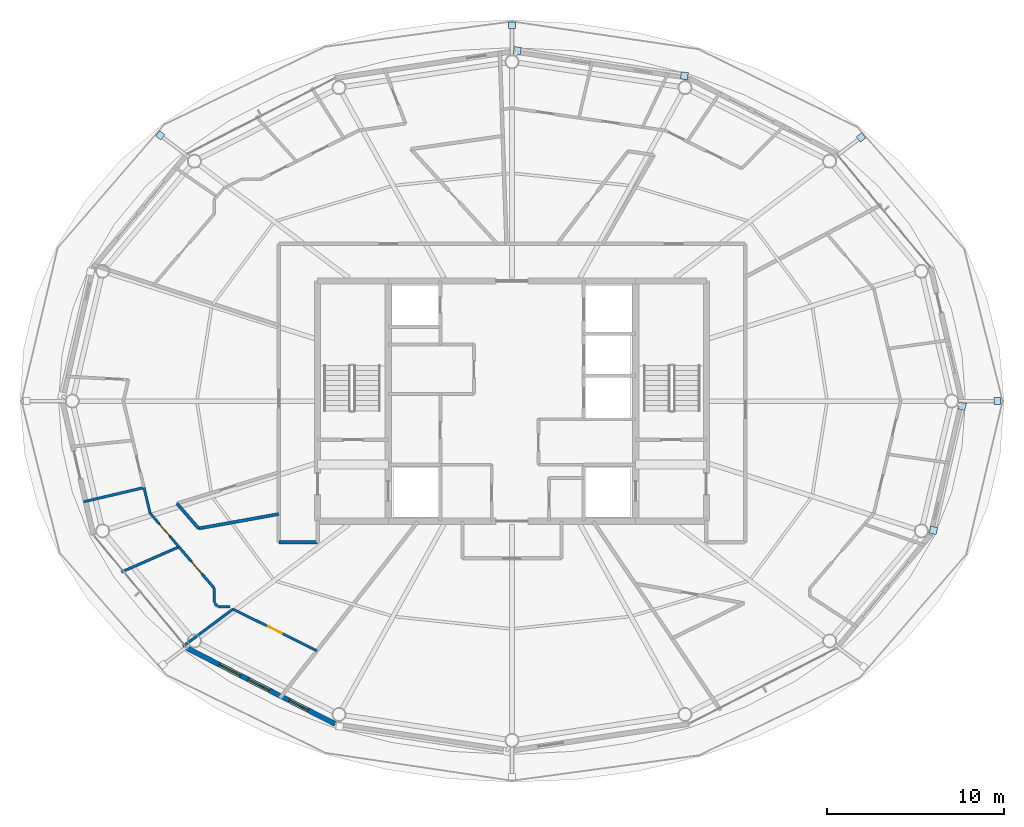
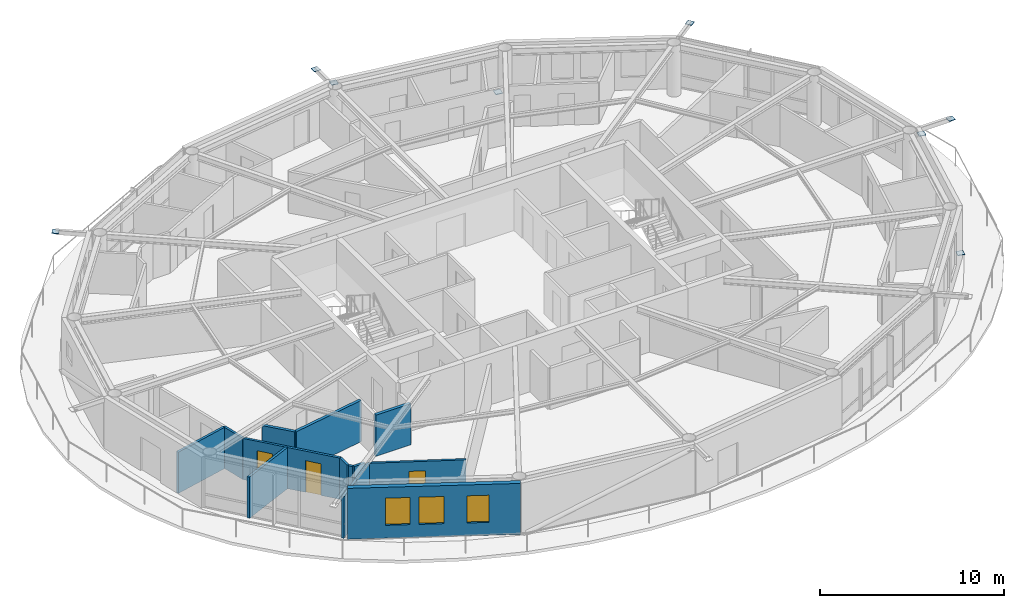
# One storey, part 15 of 22: 14 walls, 8 plates, 3 doors, 3 windows, 6 openings.
"""IFC4 building model written with IfcOpenShell, lengths in metres."""

from ifc_helpers import new_model, si_unit, direction, frame, frame_2d, origin, origin_2d, place, context, subcontext, project, spatial, rectangle, extrude, material, layer, layer_set, type_object, element, fill, save


model = new_model("IFC4")

# Units and contexts
model_context = context("Model", 3, precision=1e-05, world=origin(), true_north=direction((0.0, 1.0)))
body_context = subcontext(model_context, "Body", "Model", "MODEL_VIEW")
ifc_project = project(units=[si_unit("LENGTHUNIT", "METRE"), si_unit("AREAUNIT", "SQUARE_METRE"), si_unit("VOLUMEUNIT", "CUBIC_METRE"), si_unit("PLANEANGLEUNIT", "RADIAN"), si_unit("MASSUNIT", "GRAM", prefix="KILO")], contexts=[model_context])

# Site, building, storey
site_placement = place(None, origin())
site = spatial("IfcSite", under=ifc_project, at=site_placement, CompositionType="ELEMENT")
building_placement = place(site_placement, origin())
building = spatial("IfcBuilding", under=site, at=building_placement, Name="Sarneth Arch Tower", CompositionType="ELEMENT")
storey_placement = place(building_placement, frame((0.0, 0.0, 287.39990234375)))
storey = spatial("IfcBuildingStorey", under=building, at=storey_placement, Name="L74", CompositionType="ELEMENT", Elevation=287.39990234375)

# Plates
ifc_material_1 = material(Name="Steel S355", Category="steel")
ifc_layer_1 = layer(ifc_material_1, 0.035888671875)
ifc_layer_set_1 = layer_set([ifc_layer_1], Name="Steel S355")
plate_type = type_object("IfcPlateType", Name="PLT-GUSSET-30", PredefinedType="SHEET", material=ifc_layer_set_1)
for number, where, z_axis, x_axis, name in (
    (1, (75.466552734375, 42.0, 3.1923828125), (0.0, 0.0, 1.0), (1.0, 0.0, 0.0), "Steel end cap plate GP-1"),
    (2, (67.75537109375, 56.921142578125, 3.1923828125), (0.0, 0.0, 1.0), (0.798004853043, 0.602651022168, 0.0), "Steel end cap plate GP-1"),
):
    element("IfcPlate", number, at=place(storey_placement, frame(where, z_axis=z_axis, x_axis=x_axis)), inside=storey, type_object=plate_type, Name=name, PredefinedType="SHEET", context=body_context, shape_type="SweptSolid", body=[
        extrude(rectangle(XDim=0.3798828125, YDim=0.3798828125, at=origin_2d()), origin(), (0.0, 0.0, 1.0), 0.035888671875),
    ])
for number, where, z_axis, x_axis, name in (
    (3, (57.754150390625, 60.411376953125, 0.001953125), (0.0, 0.0, 1.0), (-0.988860535448, 0.148845024885, 0.0), "Steel end cap plate GP-1"),
    (4, (48.296630859375, 61.83544921875, 3.07421875), (0.0, 0.0, 1.0), (-0.988860535448, 0.148845024885, 0.0), "Steel end cap plate GP-1"),
):
    element("IfcPlate", number, at=place(storey_placement, frame(where, z_axis=z_axis, x_axis=x_axis)), inside=storey, type_object=plate_type, Name=name, PredefinedType="SHEET", context=body_context, shape_type="SweptSolid", body=[
        extrude(rectangle(XDim=0.404052734375, YDim=0.404052734375, at=origin_2d()), origin(), (0.0, 0.0, 1.0), 0.035888671875),
    ])
for number, where, z_axis, x_axis, name in (
    (5, (48.0, 63.2666015625, 3.1923828125), (0.0, 0.0, 1.0), (0.0, 1.0, 0.0), "Steel end cap plate GP-1"),
    (6, (28.094482421875, 57.034423828125, 3.1923828125), (0.0, 0.0, 1.0), (-0.798004853043, 0.602651022168, 0.0), "Steel end cap plate GP-1"),
):
    element("IfcPlate", number, at=place(storey_placement, frame(where, z_axis=z_axis, x_axis=x_axis)), inside=storey, type_object=plate_type, Name=name, PredefinedType="SHEET", context=body_context, shape_type="SweptSolid", body=[
        extrude(rectangle(XDim=0.3798828125, YDim=0.3798828125, at=origin_2d()), origin(), (0.0, 0.0, 1.0), 0.035888671875),
    ])
for number, where, z_axis, x_axis, name in (
    (7, (71.851806640625, 34.6845703125, 0.001953125), (0.0, 0.0, 1.0), (0.225461202458, 0.974252147129, 0.0), "Steel end cap plate GP-1"),
    (8, (73.4765625, 41.707763671875, 3.07421875), (0.0, 0.0, 1.0), (0.225461202458, 0.974252147129, 0.0), "Steel end cap plate GP-1"),
):
    element("IfcPlate", number, at=place(storey_placement, frame(where, z_axis=z_axis, x_axis=x_axis)), inside=storey, type_object=plate_type, Name=name, PredefinedType="SHEET", context=body_context, shape_type="SweptSolid", body=[
        extrude(rectangle(XDim=0.404052734375, YDim=0.404052734375, at=origin_2d()), origin(), (0.0, 0.0, 1.0), 0.035888671875),
    ])

# Wall
ifc_material_2 = material(Name="Double steel-stud corridor fire wall", Category="steel")
ifc_layer_2 = layer(ifc_material_2, 0.18994140625)
ifc_layer_set_2 = layer_set([ifc_layer_2], Name="Double steel-stud corridor fire wall")
wall_type_1 = type_object("IfcWallType", Name="WALL-CORR-190", PredefinedType="PARTITIONING", material=ifc_layer_set_2)
wall_1_placement = place(storey_placement, frame((37.0, 34.0, 0.0), z_axis=(0.0, 0.0, 1.0), x_axis=(-1.0, 0.0, 0.0)))
element("IfcWall", 9, at=wall_1_placement, inside=storey, type_object=wall_type_1, Name="L74 Interior partition W-L74-TP-009", PredefinedType="PARTITIONING", context=body_context, shape_type="SweptSolid", body=[
    extrude(rectangle(XDim=2.199951171875, YDim=0.18994140625, at=frame_2d((1.10009765625, 0.0))), origin(), (0.0, 0.0, 1.0), 2.72998046875),
])

# Wall, openings, windows
ifc_material_3 = material(Name="Extruded terracotta rainscreen on Concrete C40/50 backing", Category="masonry")
ifc_layer_3 = layer(ifc_material_3, 0.280029296875)
ifc_layer_set_3 = layer_set([ifc_layer_3], Name="Extruded terracotta rainscreen on Concrete C40/50 backing")
wall_type_2 = type_object("IfcWallType", Name="WALL-EXT-TERRA-280", PredefinedType="SOLIDWALL", material=ifc_layer_set_3)
wall_2_placement = place(storey_placement, frame((29.617431640625, 28.013427734375, 0.0), z_axis=(0.0, 0.0, 1.0), x_axis=(0.890007394051, -0.455946091699, 0.0)))
wall_2 = element("IfcWall", 10, at=wall_2_placement, inside=storey, type_object=wall_type_2, Name="L74 Terracotta perimeter wall 11", PredefinedType="SOLIDWALL", context=body_context, shape_type="SweptSolid", body=[
    extrude(rectangle(XDim=9.404296875, YDim=0.280029296875, at=frame_2d((4.7021484375, 0.0))), origin(), (0.0, 0.0, 1.0), 3.3701171875),
])
opening_1_placement = place(wall_2_placement, frame((2.053466796875, 0.0, 0.85009765625)))
opening_1 = element("IfcOpeningElement", 11, at=opening_1_placement, cuts=wall_2, Name="Opening W-08", PredefinedType="OPENING", context=body_context, shape_type="SweptSolid", body=[
    extrude(rectangle(XDim=1.35009765625, YDim=1.800048828125, at=frame_2d((0.675048828125, 0.89990234375))), frame((0.0, 0.14990234375, 0.0), z_axis=(0.0, -1.0, 0.0), x_axis=(1.0, 0.0, 0.0)), (0.0, 0.0, 1.0), 0.300048828125),
])
opening_2_placement = place(wall_2_placement, frame((3.88134765625, 0.0, 0.85009765625)))
opening_2 = element("IfcOpeningElement", 12, at=opening_2_placement, cuts=wall_2, Name="Opening W-08", PredefinedType="OPENING", context=body_context, shape_type="SweptSolid", body=[
    extrude(rectangle(XDim=1.35009765625, YDim=1.800048828125, at=frame_2d((0.675048828125, 0.89990234375))), frame((0.0, 0.14990234375, 0.0), z_axis=(0.0, -1.0, 0.0), x_axis=(1.0, 0.0, 0.0)), (0.0, 0.0, 1.0), 0.300048828125),
])
opening_3_placement = place(wall_2_placement, frame((6.4833984375, 0.0, 0.85009765625)))
opening_3 = element("IfcOpeningElement", 13, at=opening_3_placement, cuts=wall_2, Name="Opening W-09", PredefinedType="OPENING", context=body_context, shape_type="SweptSolid", body=[
    extrude(rectangle(XDim=1.199951171875, YDim=1.800048828125, at=frame_2d((0.60009765625, 0.89990234375))), frame((0.0, 0.14990234375, 0.0), z_axis=(0.0, -1.0, 0.0), x_axis=(1.0, 0.0, 0.0)), (0.0, 0.0, 1.0), 0.300048828125),
])
ifc_material_4 = material(Name="Thermally broken Aluminium 6063-T6 and low-e laminated IGU", Category="aluminium")
window_type_1 = type_object("IfcWindowType", Name="WIN-TWR-1200x1800", PartitioningType="SINGLE_PANEL", PredefinedType="WINDOW", material=ifc_material_4)
window_1_placement = place(opening_3_placement, origin())
window_1 = element("IfcWindow", 14, at=window_1_placement, inside=storey, type_object=window_type_1, Name="L74 Exterior window 11C", OverallHeight=1.800048828125, OverallWidth=1.199951171875, PartitioningType="SINGLE_PANEL", PredefinedType="WINDOW", context=body_context, shape_type="SweptSolid", body=[
    extrude(rectangle(XDim=1.199951171875, YDim=1.800048828125, at=frame_2d((0.60009765625, 0.89990234375))), frame((0.0, 0.030029296875, 0.0), z_axis=(0.0, -1.0, 0.0), x_axis=(1.0, 0.0, 0.0)), (0.0, 0.0, 1.0), 0.06005859375),
])
fill(opening_3, window_1)
ifc_material_5 = material(Name="Thermally broken Aluminium 6063-T6 and low-e laminated IGU", Category="aluminium")
window_type_2 = type_object("IfcWindowType", Name="WIN-TWR-1350x1800", PartitioningType="SINGLE_PANEL", PredefinedType="WINDOW", material=ifc_material_5)
window_2_placement = place(opening_1_placement, origin())
window_2 = element("IfcWindow", 15, at=window_2_placement, inside=storey, type_object=window_type_2, Name="L74 Exterior window 11A", OverallHeight=1.800048828125, OverallWidth=1.35009765625, PartitioningType="SINGLE_PANEL", PredefinedType="WINDOW", context=body_context, shape_type="SweptSolid", body=[
    extrude(rectangle(XDim=1.35009765625, YDim=1.800048828125, at=frame_2d((0.675048828125, 0.89990234375))), frame((0.0, 0.030029296875, 0.0), z_axis=(0.0, -1.0, 0.0), x_axis=(1.0, 0.0, 0.0)), (0.0, 0.0, 1.0), 0.06005859375),
])
fill(opening_1, window_2)
window_3_placement = place(opening_2_placement, origin())
window_3 = element("IfcWindow", 16, at=window_3_placement, inside=storey, type_object=window_type_2, Name="L74 Exterior window 11B", OverallHeight=1.800048828125, OverallWidth=1.35009765625, PartitioningType="SINGLE_PANEL", PredefinedType="WINDOW", context=body_context, shape_type="SweptSolid", body=[
    extrude(rectangle(XDim=1.35009765625, YDim=1.800048828125, at=frame_2d((0.675048828125, 0.89990234375))), frame((0.0, 0.030029296875, 0.0), z_axis=(0.0, -1.0, 0.0), x_axis=(1.0, 0.0, 0.0)), (0.0, 0.0, 1.0), 0.06005859375),
])
fill(opening_2, window_3)

# Wall, opening, door
ifc_material_6 = material(Name="Apartment internal stud partition", Category="gypsum")
ifc_layer_4 = layer(ifc_material_6, 0.139892578125)
ifc_layer_set_4 = layer_set([ifc_layer_4], Name="Apartment internal stud partition")
wall_type_3 = type_object("IfcWallType", Name="WALL-PART-140", PredefinedType="PARTITIONING", material=ifc_layer_set_4)
wall_3_placement = place(storey_placement, frame((32.212158203125, 30.2255859375, 0.0), z_axis=(0.0, 0.0, 1.0), x_axis=(0.895575883974, -0.444908795197, 0.0)))
wall_3 = element("IfcWall", 17, at=wall_3_placement, inside=storey, type_object=wall_type_3, Name="L74 Interior partition W-L74-TP-068", PredefinedType="PARTITIONING", context=body_context, shape_type="SweptSolid", body=[
    extrude(rectangle(XDim=5.2998046875, YDim=0.139892578125, at=frame_2d((2.64990234375, 0.0))), origin(), (0.0, 0.0, 1.0), 2.72998046875),
])
opening_4_placement = place(wall_3_placement, frame((2.199951171875, 0.0, 0.0)))
opening_4 = element("IfcOpeningElement", 18, at=opening_4_placement, cuts=wall_3, Name="Opening ID-01", PredefinedType="OPENING", context=body_context, shape_type="SweptSolid", body=[
    extrude(rectangle(XDim=0.89990234375, YDim=2.10009765625, at=frame_2d((0.449951171875, 1.050048828125))), frame((0.0, 0.079833984375, 0.0), z_axis=(0.0, -1.0, 0.0), x_axis=(1.0, 0.0, 0.0)), (0.0, 0.0, 1.0), 0.159912109375),
])
ifc_material_7 = material(Name="Engineered hardwood flush door", Category="wood")
door_type = type_object("IfcDoorType", Name="DR-INT-900", OperationType="SINGLE_SWING_LEFT", PredefinedType="DOOR", material=ifc_material_7)
door_1_placement = place(opening_4_placement, origin())
door_1 = element("IfcDoor", 19, at=door_1_placement, inside=storey, type_object=door_type, Name="L74 Interior door DR-L74-U3-BED3", OperationType="SINGLE_SWING_RIGHT", OverallHeight=2.10009765625, OverallWidth=0.89990234375, PredefinedType="DOOR", context=body_context, shape_type="SweptSolid", body=[
    extrude(rectangle(XDim=0.89990234375, YDim=2.10009765625, at=frame_2d((0.449951171875, 1.050048828125))), frame((0.0, 0.02490234375, 0.0), z_axis=(0.0, -1.0, 0.0), x_axis=(1.0, 0.0, 0.0)), (0.0, 0.0, 1.0), 0.050048828125),
])
fill(opening_4, door_1)

wall_4_placement = place(storey_placement, frame((27.51904296875, 35.655029296875, 0.0), z_axis=(0.0, 0.0, 1.0), x_axis=(0.649219833228, -0.760600820499, 0.0)))
wall_4 = element("IfcWall", 20, at=wall_4_placement, inside=storey, type_object=wall_type_3, Name="L74 Interior partition W-L74-TP-063", PredefinedType="PARTITIONING", context=body_context, shape_type="SweptSolid", body=[
    extrude(rectangle(XDim=2.509765625, YDim=0.139892578125, at=frame_2d((1.2548828125, 0.0))), origin(), (0.0, 0.0, 1.0), 2.72998046875),
])
opening_5_placement = place(wall_4_placement, frame((0.804931640625, 0.0, 0.0)))
opening_5 = element("IfcOpeningElement", 21, at=opening_5_placement, cuts=wall_4, Name="Opening ID-01", PredefinedType="OPENING", context=body_context, shape_type="SweptSolid", body=[
    extrude(rectangle(XDim=0.89990234375, YDim=2.10009765625, at=frame_2d((0.449951171875, 1.050048828125))), frame((0.0, 0.079833984375, 0.0), z_axis=(0.0, -1.0, 0.0), x_axis=(1.0, 0.0, 0.0)), (0.0, 0.0, 1.0), 0.159912109375),
])
door_2_placement = place(opening_5_placement, origin())
door_2 = element("IfcDoor", 22, at=door_2_placement, inside=storey, type_object=door_type, Name="L74 Interior door DR-L74-U3-BED1", OperationType="SINGLE_SWING_RIGHT", OverallHeight=2.10009765625, OverallWidth=0.89990234375, PredefinedType="DOOR", context=body_context, shape_type="SweptSolid", body=[
    extrude(rectangle(XDim=0.89990234375, YDim=2.10009765625, at=frame_2d((0.449951171875, 1.050048828125))), frame((0.0, 0.02490234375, 0.0), z_axis=(0.0, -1.0, 0.0), x_axis=(1.0, 0.0, 0.0)), (0.0, 0.0, 1.0), 0.050048828125),
])
fill(opening_5, door_2)

# Walls
wall_5_placement = place(storey_placement, frame((27.173583984375, 37.10205078125, 0.0), z_axis=(0.0, 0.0, 1.0), x_axis=(0.232212116671, -0.972665169969, 0.0)))
element("IfcWall", 23, at=wall_5_placement, inside=storey, type_object=wall_type_3, Name="L74 Interior partition W-L74-TP-062", PredefinedType="PARTITIONING", context=body_context, shape_type="SweptSolid", body=[
    extrude(rectangle(XDim=1.48779296875, YDim=0.139892578125, at=frame_2d((0.743896484375, 0.0))), origin(), (0.0, 0.0, 1.0), 2.72998046875),
])
ifc_material_8 = material(Name="Acoustic gypsum stud partition", Category="gypsum")
ifc_layer_5 = layer(ifc_material_8, 0.14990234375)
ifc_layer_set_5 = layer_set([ifc_layer_5], Name="Acoustic gypsum stud partition")
wall_type_4 = type_object("IfcWallType", Name="WALL-PART-150", PredefinedType="PARTITIONING", material=ifc_layer_set_5)
wall_6_placement = place(storey_placement, frame((29.1484375, 33.74609375, 0.0), z_axis=(0.0, 0.0, 1.0), x_axis=(-0.916054593567, -0.401053589442, 0.0)))
element("IfcWall", 24, at=wall_6_placement, inside=storey, type_object=wall_type_4, Name="L74 Interior partition W-L74-TP-072", PredefinedType="PARTITIONING", context=body_context, shape_type="SweptSolid", body=[
    extrude(rectangle(XDim=3.5458984375, YDim=0.14990234375, at=frame_2d((1.77294921875, 0.0))), origin(), (0.0, 0.0, 1.0), 2.72998046875),
])
wall_7_placement = place(storey_placement, frame((32.212158203125, 30.2255859375, 0.0), z_axis=(0.0, 0.0, 1.0), x_axis=(-0.801630280955, -0.597820117306, 0.0)))
element("IfcWall", 25, at=wall_7_placement, inside=storey, type_object=wall_type_4, Name="L74 Interior partition W-L74-TP-073", PredefinedType="PARTITIONING", context=body_context, shape_type="SweptSolid", body=[
    extrude(rectangle(XDim=3.53369140625, YDim=0.14990234375, at=frame_2d((1.766845703125, 0.0))), origin(), (0.0, 0.0, 1.0), 2.72998046875),
])
wall_8_placement = place(storey_placement, frame((27.173583984375, 37.10205078125, 0.0), z_axis=(0.0, 0.0, 1.0), x_axis=(-0.973445389286, -0.228919361518, 0.0)))
element("IfcWall", 26, at=wall_8_placement, inside=storey, type_object=wall_type_4, Name="L74 Interior partition W-L74-TP-071", PredefinedType="PARTITIONING", context=body_context, shape_type="SweptSolid", body=[
    extrude(rectangle(XDim=3.51611328125, YDim=0.14990234375, at=frame_2d((1.758056640625, 0.0))), origin(), (0.0, 0.0, 1.0), 2.72998046875),
])

# Wall, opening, door
wall_9_placement = place(storey_placement, frame((29.1484375, 33.74609375, 0.0), z_axis=(0.0, 0.0, 1.0), x_axis=(0.649198693287, -0.760618864238, 0.0)))
wall_9 = element("IfcWall", 27, at=wall_9_placement, inside=storey, type_object=wall_type_4, Name="L74 Interior partition W-L74-TP-064", PredefinedType="PARTITIONING", context=body_context, shape_type="SweptSolid", body=[
    extrude(rectangle(XDim=3.0830078125, YDim=0.14990234375, at=frame_2d((1.54150390625, 0.0))), origin(), (0.0, 0.0, 1.0), 2.72998046875),
])
opening_6_placement = place(wall_9_placement, frame((1.091552734375, 0.0, 0.0)))
opening_6 = element("IfcOpeningElement", 28, at=opening_6_placement, cuts=wall_9, Name="Opening ID-01", PredefinedType="OPENING", context=body_context, shape_type="SweptSolid", body=[
    extrude(rectangle(XDim=0.89990234375, YDim=2.10009765625, at=frame_2d((0.449951171875, 1.050048828125))), frame((0.0, 0.0849609375, 0.0), z_axis=(0.0, -1.0, 0.0), x_axis=(1.0, 0.0, 0.0)), (0.0, 0.0, 1.0), 0.169921875),
])
door_3_placement = place(opening_6_placement, origin())
door_3 = element("IfcDoor", 29, at=door_3_placement, inside=storey, type_object=door_type, Name="L74 Interior door DR-L74-U3-BED2", OperationType="SINGLE_SWING_RIGHT", OverallHeight=2.10009765625, OverallWidth=0.89990234375, PredefinedType="DOOR", context=body_context, shape_type="SweptSolid", body=[
    extrude(rectangle(XDim=0.89990234375, YDim=2.10009765625, at=frame_2d((0.449951171875, 1.050048828125))), frame((0.0, 0.02490234375, 0.0), z_axis=(0.0, -1.0, 0.0), x_axis=(1.0, 0.0, 0.0)), (0.0, 0.0, 1.0), 0.050048828125),
])
fill(opening_6, door_3)

# Walls
wall_10_placement = place(storey_placement, frame((31.14990234375, 31.401123046875, 0.0), z_axis=(0.0, 0.0, 1.0), x_axis=(0.0, -1.0, 0.0)))
element("IfcWall", 30, at=wall_10_placement, inside=storey, type_object=wall_type_4, Name="L74 Interior partition W-L74-TP-065", PredefinedType="PARTITIONING", context=body_context, shape_type="SweptSolid", body=[
    extrude(rectangle(XDim=0.8115234375, YDim=0.14990234375, at=frame_2d((0.40576171875, 0.0))), origin(), (0.0, 0.0, 1.0), 2.72998046875),
])
wall_11_placement = place(storey_placement, frame((31.3544921875, 30.35009765625, 0.0), z_axis=(0.0, 0.0, 1.0), x_axis=(1.0, 0.0, 0.0)))
element("IfcWall", 31, at=wall_11_placement, inside=storey, type_object=wall_type_4, Name="L74 Interior partition W-L74-TP-067", PredefinedType="PARTITIONING", context=body_context, shape_type="SweptSolid", body=[
    extrude(rectangle(XDim=0.692626953125, YDim=0.14990234375, at=frame_2d((0.34619140625, 0.0))), origin(), (0.0, 0.0, 1.0), 2.72998046875),
])
wall_12_placement = place(storey_placement, frame((31.17333984375, 30.562255859375, 0.0), z_axis=(0.0, 0.0, 1.0), x_axis=(0.648874632887, -0.760895334981, 0.0)))
element("IfcWall", 32, at=wall_12_placement, inside=storey, type_object=wall_type_4, Name="L74 Interior partition W-L74-TP-066", PredefinedType="PARTITIONING", context=body_context, shape_type="SweptSolid", body=[
    extrude(rectangle(XDim=0.23095703125, YDim=0.14990234375, at=frame_2d((0.115478515625, 0.0))), origin(), (0.0, 0.0, 1.0), 2.72998046875),
])
ifc_material_9 = material(Name="Moisture-resistant plumbing chase wall", Category="gypsum")
ifc_layer_6 = layer(ifc_material_9, 0.179931640625)
ifc_layer_set_6 = layer_set([ifc_layer_6], Name="Moisture-resistant plumbing chase wall")
wall_type_5 = type_object("IfcWallType", Name="WALL-PLUMB-180", PredefinedType="PLUMBINGWALL", material=ifc_layer_set_6)
wall_13_placement = place(storey_placement, frame((30.265380859375, 34.788818359375, 0.0), z_axis=(0.0, 0.0, 1.0), x_axis=(0.984250881723, 0.176777266148, 0.0)))
element("IfcWall", 33, at=wall_13_placement, inside=storey, type_object=wall_type_5, Name="L74 Interior partition W-L74-TP-061", PredefinedType="PLUMBINGWALL", context=body_context, shape_type="SweptSolid", body=[
    extrude(rectangle(XDim=4.607177734375, YDim=0.179931640625, at=frame_2d((2.3037109375, 0.0))), origin(), (0.0, 0.0, 1.0), 2.72998046875),
])
wall_14_placement = place(storey_placement, frame((29.035888671875, 36.2021484375, 0.0), z_axis=(0.0, 0.0, 1.0), x_axis=(0.656333580006, -0.754470828963, 0.0)))
element("IfcWall", 34, at=wall_14_placement, inside=storey, type_object=wall_type_5, Name="L74 Interior partition W-L74-TP-060", PredefinedType="PLUMBINGWALL", context=body_context, shape_type="SweptSolid", body=[
    extrude(rectangle(XDim=1.873291015625, YDim=0.179931640625, at=frame_2d((0.9365234375, 0.0))), origin(), (0.0, 0.0, 1.0), 2.72998046875),
])

save(model, "model.ifc")
